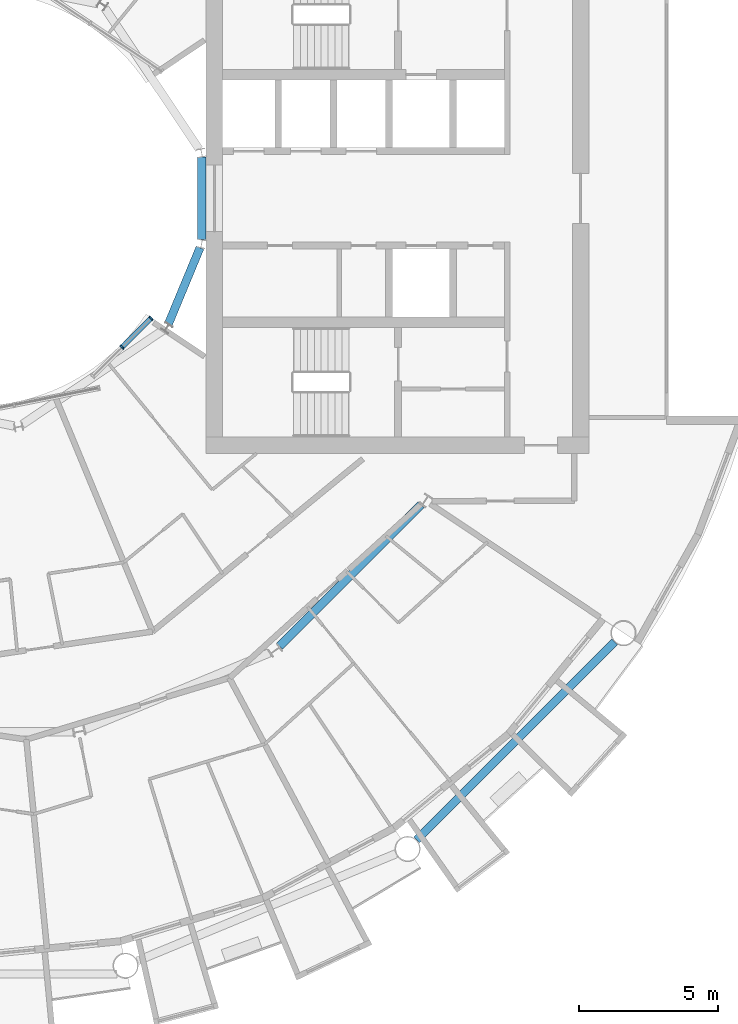
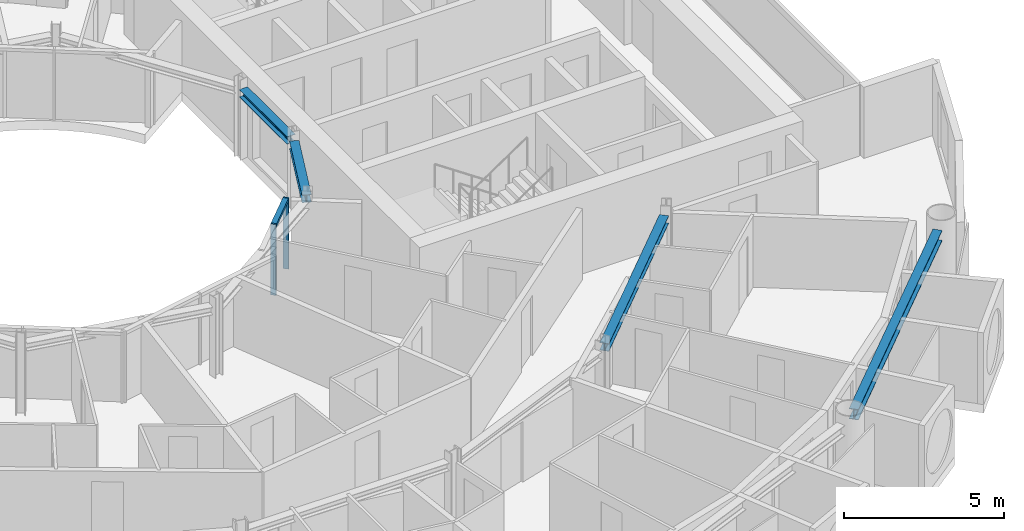
# One storey, part 7 of 28: 4 beams, 3 members, 1 element without a shape of its own.
"""IFC4 building model written with IfcOpenShell, lengths in metres."""

from ifc_helpers import new_model, si_unit, direction, frame, origin, origin_2d, place, context, subcontext, project, spatial, rectangle, i_section, extrude, material, layer, layer_set, material_profile, profile_set, type_object, element, aggregate, save


model = new_model("IFC4")

# Units and contexts
model_context = context("Model", 3, precision=1e-05, world=origin(), true_north=direction((0.0, 1.0)))
body_context = subcontext(model_context, "Body", "Model", "MODEL_VIEW")
ifc_project = project(units=[si_unit("LENGTHUNIT", "METRE"), si_unit("AREAUNIT", "SQUARE_METRE"), si_unit("VOLUMEUNIT", "CUBIC_METRE"), si_unit("PLANEANGLEUNIT", "RADIAN"), si_unit("MASSUNIT", "GRAM", prefix="KILO")], contexts=[model_context])

# Site, building, storey
site_placement = place(None, origin())
site = spatial("IfcSite", under=ifc_project, at=site_placement, CompositionType="ELEMENT")
building_placement = place(site_placement, origin())
building = spatial("IfcBuilding", under=site, at=building_placement, Name="Maasbend Ring Residences", CompositionType="ELEMENT")
storey_placement = place(building_placement, frame((0.0, 0.0, 133.0)))
storey = spatial("IfcBuildingStorey", under=building, at=storey_placement, Name="L38", CompositionType="ELEMENT", Elevation=133.0)

# Curtain wall, members
ifc_material_1 = material(Name="Aluminium and clear glass", Category="aluminium")
ifc_layer = layer(ifc_material_1, 0.179931640625)
ifc_layer_set = layer_set([ifc_layer], Name="CW-W")
curtain_wall_type = type_object("IfcCurtainWallType", Name="CW-W", PredefinedType="NOTDEFINED", material=ifc_layer_set)
curtain_wall_placement = place(storey_placement, origin())
curtain_wall = element("IfcCurtainWall", 1, at=curtain_wall_placement, inside=storey, type_object=curtain_wall_type, Name="Well curtain wall S3", PredefinedType="NOTDEFINED")
ifc_material_2 = material(Name="Aluminium 6063-T6", Category="aluminium")
ifc_material_profile_1 = material_profile(ifc_material_2, rectangle(XDim=0.179931640625, YDim=0.06005859375, at=origin_2d()), Name="AL 180x60")
ifc_profile_set_1 = profile_set([ifc_material_profile_1], Name="Aluminium 6063-T6")
member_type_1 = type_object("IfcMemberType", Name="CWM-W", PredefinedType="MULLION", material=ifc_profile_set_1)
member_1_placement = place(storey_placement, frame((5.366943359375, -5.366943359375, 0.0), z_axis=(0.0, 0.0, 1.0), x_axis=(-0.707106781187, 0.707106781187, 0.0)))
member_1 = element("IfcMember", 2, at=member_1_placement, type_object=member_type_1, Name="Mullion well face", PredefinedType="MULLION", context=body_context, shape_type="SweptSolid", body=[
    extrude(rectangle(XDim=0.179931640625, YDim=0.06005859375, at=origin_2d()), origin(), (0.0, 0.0, 1.0), 2.699951171875),
])
member_2_placement = place(storey_placement, frame((6.413330078125, -4.320556640625, 0.0), z_axis=(0.0, 0.0, 1.0), x_axis=(-0.707106781187, 0.707106781187, 0.0)))
member_2 = element("IfcMember", 3, at=member_2_placement, type_object=member_type_1, Name="Mullion well face", PredefinedType="MULLION", context=body_context, shape_type="SweptSolid", body=[
    extrude(rectangle(XDim=0.179931640625, YDim=0.06005859375, at=origin_2d()), origin(), (0.0, 0.0, 1.0), 2.699951171875),
])
ifc_material_3 = material(Name="Aluminium 6063-T6", Category="aluminium")
ifc_material_profile_2 = material_profile(ifc_material_3, rectangle(XDim=0.179931640625, YDim=0.1201171875, at=origin_2d()), Name="AL 180x120")
ifc_profile_set_2 = profile_set([ifc_material_profile_2], Name="Aluminium 6063-T6")
member_type_2 = type_object("IfcMemberType", Name="CWT-W", PredefinedType="USERDEFINED", material=ifc_profile_set_2)
member_3_placement = place(storey_placement, frame((5.38818359375, -5.345703125, 2.639892578125), z_axis=(0.707106781187, 0.707106781187, 0.0), x_axis=(-0.707106781187, 0.707106781187, 0.0)))
member_3 = element("IfcMember", 4, at=member_3_placement, type_object=member_type_2, Name="Transom well face", ObjectType="TRANSOM", PredefinedType="USERDEFINED", context=body_context, shape_type="SweptSolid", body=[
    extrude(rectangle(XDim=0.179931640625, YDim=0.1201171875, at=origin_2d()), origin(), (0.0, 0.0, 1.0), 1.419677734375),
])
aggregate(curtain_wall, [member_1, member_2, member_3])

# Beams
ifc_material_4 = material(Name="Steel S355J2", Category="steel")
ifc_material_profile_3 = material_profile(ifc_material_4, i_section(OverallWidth=0.300048828125, OverallDepth=0.2900390625, WebThickness=0.008544921875, FlangeThickness=0.013916015625, FilletRadius=0.027099609375, at=origin_2d()), Name="HEA 300")
ifc_profile_set_3 = profile_set([ifc_material_profile_3], Name="Steel S355J2")
beam_type_1 = type_object("IfcBeamType", Name="Corridor ring beam HEA 300", PredefinedType="BEAM", material=ifc_profile_set_3)
beam_1_placement = place(storey_placement, frame((11.044921875, -16.14111328125, 2.554931640625), z_axis=(0.707106781187, 0.707106781187, 0.0), x_axis=(-0.707106781187, 0.707106781187, 0.0)))
element("IfcBeam", 5, at=beam_1_placement, inside=storey, type_object=beam_type_1, Name="Corridor ring beam", PredefinedType="BEAM", context=body_context, shape_type="SweptSolid", body=[
    extrude(i_section(OverallWidth=0.300048828125, OverallDepth=0.2900390625, WebThickness=0.008544921875, FlangeThickness=0.013916015625, FilletRadius=0.027099609375, at=origin_2d()), origin(), (0.0, 0.0, 1.0), 7.20703125),
])
ifc_material_5 = material(Name="Steel S355J2", Category="steel")
ifc_material_profile_4 = material_profile(ifc_material_5, i_section(OverallWidth=0.300048828125, OverallDepth=0.39990234375, WebThickness=0.013427734375, FlangeThickness=0.02392578125, FilletRadius=0.027099609375, at=origin_2d()), Name="HEB 400")
ifc_profile_set_4 = profile_set([ifc_material_profile_4], Name="Steel S355J2")
beam_type_2 = type_object("IfcBeamType", Name="Spandrel ring beam HEB 400", PredefinedType="SPANDREL", material=ifc_profile_set_4)
beam_2_placement = place(storey_placement, frame((15.990234375, -23.124267578125, 2.5), z_axis=(0.707106781187, 0.707106781187, 0.0), x_axis=(-0.707106781187, 0.707106781187, 0.0)))
element("IfcBeam", 6, at=beam_2_placement, inside=storey, type_object=beam_type_2, Name="Spandrel ring beam", PredefinedType="SPANDREL", context=body_context, shape_type="SweptSolid", body=[
    extrude(i_section(OverallWidth=0.300048828125, OverallDepth=0.39990234375, WebThickness=0.013427734375, FlangeThickness=0.02392578125, FilletRadius=0.027099609375, at=origin_2d()), origin(), (0.0, 0.0, 1.0), 10.089111328125),
])
ifc_material_6 = material(Name="Steel S355J2", Category="steel")
ifc_material_profile_5 = material_profile(ifc_material_6, i_section(OverallWidth=0.300048828125, OverallDepth=0.2900390625, WebThickness=0.008544921875, FlangeThickness=0.013916015625, FilletRadius=0.027099609375, at=origin_2d()), Name="HEA 300")
ifc_profile_set_5 = profile_set([ifc_material_profile_5], Name="Steel S355J2")
beam_type_3 = type_object("IfcBeamType", Name="Well edge beam HEA 300", PredefinedType="BEAM", material=ifc_profile_set_5)
for number, where, z_axis, x_axis, name in (
    (7, (7.042724609375, -4.525390625, 2.554931640625), (0.382765370874, 0.923845588212, 0.0), (-0.923845588212, 0.382765370874, 0.0), "Well edge beam"),
    (8, (8.238525390625, -1.48583984375, 2.554931640625), (0.0, 1.0, 0.0), (-1.0, 0.0, 0.0), "Well edge beam"),
):
    element("IfcBeam", number, at=place(storey_placement, frame(where, z_axis=z_axis, x_axis=x_axis)), inside=storey, type_object=beam_type_3, Name=name, PredefinedType="BEAM", context=body_context, shape_type="SweptSolid", body=[
        extrude(i_section(OverallWidth=0.300048828125, OverallDepth=0.2900390625, WebThickness=0.008544921875, FlangeThickness=0.013916015625, FilletRadius=0.027099609375, at=origin_2d()), origin(), (0.0, 0.0, 1.0), 2.9716796875),
    ])

save(model, "model.ifc")
